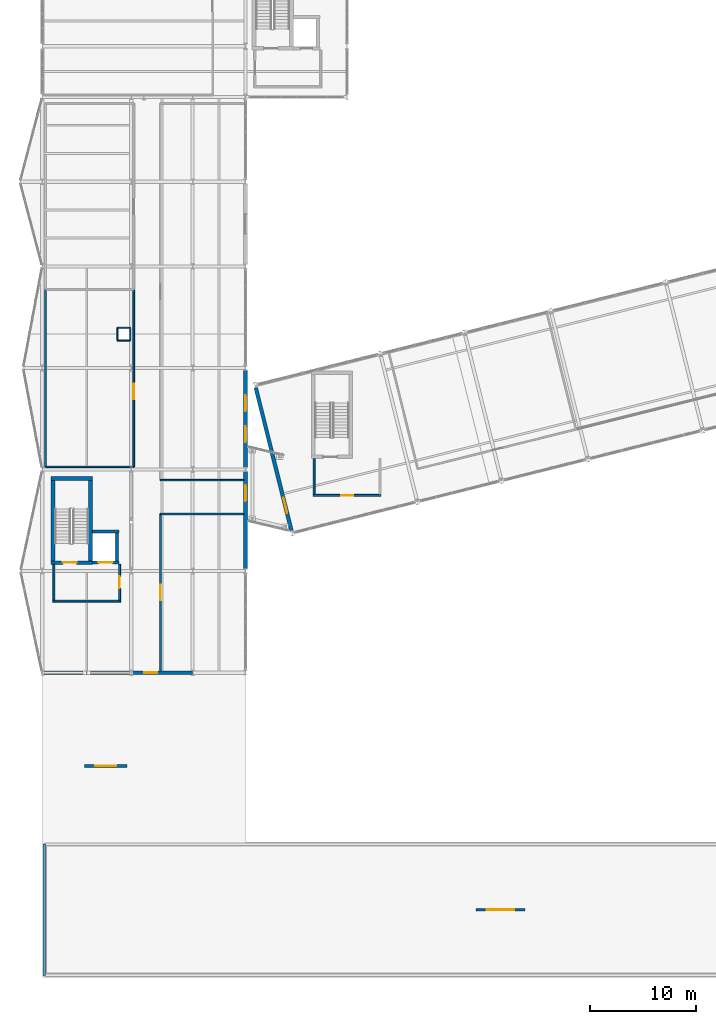
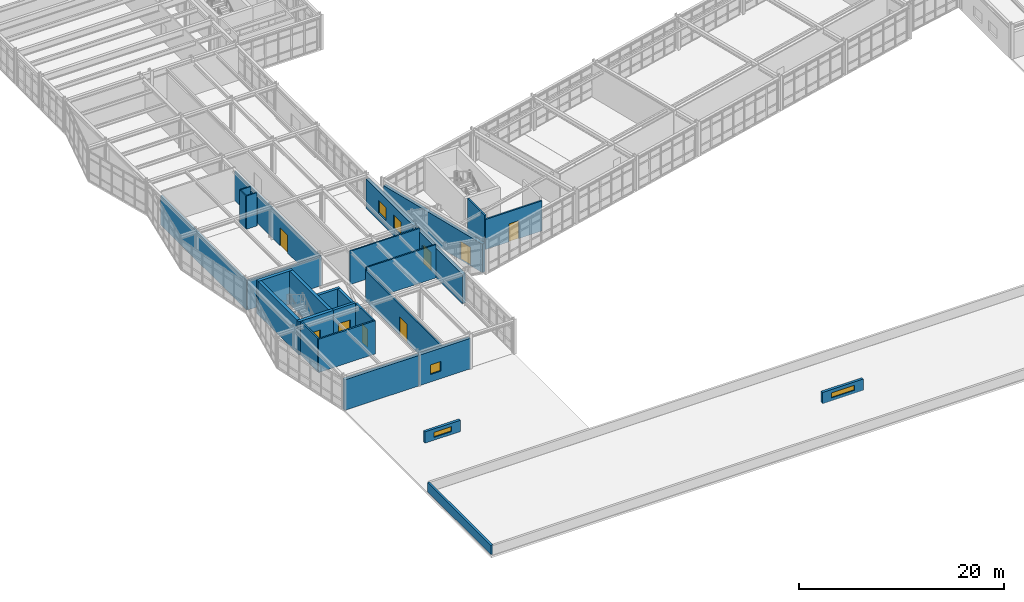
# One storey, part 69 of 88: 30 walls, 8 doors, 5 windows, 13 openings.
"""IFC4 building model written with IfcOpenShell, lengths in metres."""

from ifc_helpers import new_model, si_unit, direction, frame, frame_2d, origin, place, context, subcontext, project, spatial, rectangle, extrude, material, layer, layer_set, type_object, element, fill, save


model = new_model("IFC4")

# Units and contexts
model_context = context("Model", 3, precision=1e-05, world=origin(), true_north=direction((0.0, 1.0)))
body_context = subcontext(model_context, "Body", "Model", "MODEL_VIEW")
ifc_project = project(units=[si_unit("LENGTHUNIT", "METRE"), si_unit("AREAUNIT", "SQUARE_METRE"), si_unit("VOLUMEUNIT", "CUBIC_METRE"), si_unit("PLANEANGLEUNIT", "RADIAN"), si_unit("MASSUNIT", "GRAM", prefix="KILO")], contexts=[model_context])

# Site, building, storey
site_placement = place(None, origin())
site = spatial("IfcSite", under=ifc_project, at=site_placement, CompositionType="ELEMENT")
building_placement = place(site_placement, origin())
building = spatial("IfcBuilding", under=site, at=building_placement, Name="Nordkorset Police Headquarters", CompositionType="ELEMENT")
storey_placement = place(building_placement, frame((0.0, 0.0, 9.449951171875)))
storey = spatial("IfcBuildingStorey", under=building, at=storey_placement, Name="L02", CompositionType="ELEMENT", Elevation=9.449951171875)

# Walls
ifc_material_1 = material(Name="Gypsum board", Category="gypsum")
ifc_layer_1 = layer(ifc_material_1, 0.179931640625, Name="Gypsum board")
ifc_layer_set_1 = layer_set([ifc_layer_1], Name="Gypsum board")
wall_type_1 = type_object("IfcWallType", Name="Wall_Comp_180", PredefinedType="PARTITIONING", material=ifc_layer_set_1)
wall_1_placement = place(storey_placement, frame((1.0, 35.56005859375, 0.0), z_axis=(0.0, 0.0, 1.0), x_axis=(1.0, 0.0, 0.0)))
element("IfcWall", 1, at=wall_1_placement, inside=storey, type_object=wall_type_1, Name="Firefighting Lobby EI 60 Wall K4 L02 S", PredefinedType="PARTITIONING", context=body_context, shape_type="SweptSolid", body=[
    extrude(rectangle(XDim=6.39990234375, YDim=0.179931640625, at=frame_2d((3.199951171875, 0.0))), origin(), (0.0, 0.0, 1.0), 3.969970703125),
])
wall_2_placement = place(storey_placement, frame((1.090087890625, 35.64990234375, 0.0), z_axis=(0.0, 0.0, 1.0), x_axis=(0.0, 1.0, 0.0)))
element("IfcWall", 2, at=wall_2_placement, inside=storey, type_object=wall_type_1, Name="Firefighting Lobby EI 60 Wall K4 L02 W", PredefinedType="PARTITIONING", context=body_context, shape_type="SweptSolid", body=[
    extrude(rectangle(XDim=3.375, YDim=0.179931640625, at=frame_2d((1.6875, 0.0))), origin(), (0.0, 0.0, 1.0), 3.969970703125),
])

# Wall, opening, door
wall_3_placement = place(storey_placement, frame((7.31005859375, 35.64990234375, 0.0), z_axis=(0.0, 0.0, 1.0), x_axis=(0.0, 1.0, 0.0)))
wall_3 = element("IfcWall", 3, at=wall_3_placement, inside=storey, type_object=wall_type_1, Name="Firefighting Lobby EI 60 Wall K4 L02 E", PredefinedType="PARTITIONING", context=body_context, shape_type="SweptSolid", body=[
    extrude(rectangle(XDim=3.375, YDim=0.179931640625, at=frame_2d((1.6875, 0.0))), origin(), (0.0, 0.0, 1.0), 3.969970703125),
])
opening_1_placement = place(wall_3_placement, frame((1.112548828125, 0.0, 0.0)))
opening_1 = element("IfcOpeningElement", 4, at=opening_1_placement, cuts=wall_3, Name="Opening DR-01", PredefinedType="OPENING", context=body_context, shape_type="SweptSolid", body=[
    extrude(rectangle(XDim=1.14990234375, YDim=2.14990234375, at=frame_2d((0.574951171875, 1.074951171875))), frame((0.0, 0.10009765625, 0.0), z_axis=(0.0, -1.0, 0.0), x_axis=(1.0, 0.0, 0.0)), (0.0, 0.0, 1.0), 0.199951171875),
])
ifc_material_2 = material(Name="Steel S355J2", Category="steel")
door_type_1 = type_object("IfcDoorType", Name="Door_LobbySingle_1150x2150", OperationType="NOTDEFINED", PredefinedType="DOOR", material=ifc_material_2)
door_1_placement = place(opening_1_placement, origin())
door_1 = element("IfcDoor", 5, at=door_1_placement, inside=storey, type_object=door_type_1, Name="Firefighting Lobby Smoke Door K4 L02 E", OperationType="SINGLE_SWING_LEFT", OverallHeight=2.14990234375, OverallWidth=1.14990234375, PredefinedType="DOOR", context=body_context, shape_type="SweptSolid", body=[
    extrude(rectangle(XDim=1.14990234375, YDim=2.14990234375, at=frame_2d((0.574951171875, 1.074951171875))), frame((0.0, 0.02490234375, 0.0), z_axis=(0.0, -1.0, 0.0), x_axis=(1.0, 0.0, 0.0)), (0.0, 0.0, 1.0), 0.050048828125),
])
fill(opening_1, door_1)

wall_4_placement = place(storey_placement, frame((25.60009765625, 45.56005859375, 0.0), z_axis=(0.0, 0.0, 1.0), x_axis=(1.0, 0.0, 0.0)))
wall_4 = element("IfcWall", 6, at=wall_4_placement, inside=storey, type_object=wall_type_1, Name="Firefighting Lobby EI 60 Wall K7 L02 S", PredefinedType="PARTITIONING", context=body_context, shape_type="SweptSolid", body=[
    extrude(rectangle(XDim=6.39990234375, YDim=0.179931640625, at=frame_2d((3.199951171875, 0.0))), origin(), (0.0, 0.0, 1.0), 3.590087890625),
])
opening_2_placement = place(wall_4_placement, frame((2.625, 0.0, 0.0)))
opening_2 = element("IfcOpeningElement", 7, at=opening_2_placement, cuts=wall_4, Name="Opening DR-01", PredefinedType="OPENING", context=body_context, shape_type="SweptSolid", body=[
    extrude(rectangle(XDim=1.14990234375, YDim=2.14990234375, at=frame_2d((0.574951171875, 1.074951171875))), frame((0.0, 0.10009765625, 0.0), z_axis=(0.0, -1.0, 0.0), x_axis=(1.0, 0.0, 0.0)), (0.0, 0.0, 1.0), 0.199951171875),
])
door_2_placement = place(opening_2_placement, frame((1.14990234375, 0.0, 0.0), z_axis=(0.0, 0.0, 1.0), x_axis=(-1.0, 0.0, 0.0)))
door_2 = element("IfcDoor", 8, at=door_2_placement, inside=storey, type_object=door_type_1, Name="Firefighting Lobby Smoke Door K7 L02 S", OperationType="SINGLE_SWING_RIGHT", OverallHeight=2.14990234375, OverallWidth=1.14990234375, PredefinedType="DOOR", context=body_context, shape_type="SweptSolid", body=[
    extrude(rectangle(XDim=1.14990234375, YDim=2.14990234375, at=frame_2d((0.574951171875, 1.074951171875))), frame((0.0, 0.02490234375, 0.0), z_axis=(0.0, -1.0, 0.0), x_axis=(1.0, 0.0, 0.0)), (0.0, 0.0, 1.0), 0.050048828125),
])
fill(opening_2, door_2)

# Wall
wall_5_placement = place(storey_placement, frame((25.68994140625, 45.64990234375, 0.0), z_axis=(0.0, 0.0, 1.0), x_axis=(0.0, 1.0, 0.0)))
element("IfcWall", 9, at=wall_5_placement, inside=storey, type_object=wall_type_1, Name="Firefighting Lobby EI 60 Wall K7 L02 W", PredefinedType="PARTITIONING", context=body_context, shape_type="SweptSolid", body=[
    extrude(rectangle(XDim=3.375, YDim=0.179931640625, at=frame_2d((1.6875, 0.0))), origin(), (0.0, 0.0, 1.0), 3.969970703125),
])

# Wall, opening, door
ifc_material_3 = material(Name="Concrete C35/45", Category="concrete")
ifc_layer_2 = layer(ifc_material_3, 0.35009765625, Name="Concrete C35/45")
ifc_layer_set_2 = layer_set([ifc_layer_2], Name="Concrete C35/45")
wall_type_2 = type_object("IfcWallType", Name="Wall_CoreShear_350", PredefinedType="SHEAR", material=ifc_layer_set_2)
wall_6_placement = place(storey_placement, frame((0.824951171875, 39.199951171875, 0.0), z_axis=(0.0, 0.0, 1.0), x_axis=(1.0, 0.0, 0.0)))
wall_6 = element("IfcWall", 10, at=wall_6_placement, inside=storey, type_object=wall_type_2, Name="Core K4 Stair Shaft South Shear Wall L02", PredefinedType="SHEAR", context=body_context, shape_type="SweptSolid", body=[
    extrude(rectangle(XDim=3.900146484375, YDim=0.35009765625, at=frame_2d((1.9501953125, 0.0))), origin(), (0.0, 0.0, 1.0), 3.969970703125),
])
opening_3_placement = place(wall_6_placement, frame((1.125, 0.0, 0.0)))
opening_3 = element("IfcOpeningElement", 11, at=opening_3_placement, cuts=wall_6, Name="Opening DR-20", PredefinedType="OPENING", context=body_context, shape_type="SweptSolid", body=[
    extrude(rectangle(XDim=1.300048828125, YDim=2.14990234375, at=frame_2d((0.64990234375, 1.074951171875))), frame((0.0, 0.18505859375, 0.0), z_axis=(0.0, -1.0, 0.0), x_axis=(1.0, 0.0, 0.0)), (0.0, 0.0, 1.0), 0.3701171875),
])
ifc_material_4 = material(Name="Steel S355J2", Category="steel")
door_type_2 = type_object("IfcDoorType", Name="Door_Stair_1300x2150", OperationType="NOTDEFINED", PredefinedType="DOOR", material=ifc_material_4)
door_3_placement = place(opening_3_placement, frame((1.300048828125, 0.0, 0.0), z_axis=(0.0, 0.0, 1.0), x_axis=(-1.0, 0.0, 0.0)))
door_3 = element("IfcDoor", 12, at=door_3_placement, inside=storey, type_object=door_type_2, Name="Protected Stair Fire Door ST-04 L02", OperationType="SINGLE_SWING_RIGHT", OverallHeight=2.14990234375, OverallWidth=1.300048828125, PredefinedType="DOOR", context=body_context, shape_type="SweptSolid", body=[
    extrude(rectangle(XDim=1.300048828125, YDim=2.14990234375, at=frame_2d((0.64990234375, 1.074951171875))), frame((0.0, 0.02490234375, 0.0), z_axis=(0.0, -1.0, 0.0), x_axis=(1.0, 0.0, 0.0)), (0.0, 0.0, 1.0), 0.050048828125),
])
fill(opening_3, door_3)

# Walls
wall_7_placement = place(storey_placement, frame((0.824951171875, 47.14990234375, 0.0), z_axis=(0.0, 0.0, 1.0), x_axis=(1.0, 0.0, 0.0)))
element("IfcWall", 13, at=wall_7_placement, inside=storey, type_object=wall_type_2, Name="Core K4 Stair Shaft North Shear Wall L02", PredefinedType="SHEAR", context=body_context, shape_type="SweptSolid", body=[
    extrude(rectangle(XDim=3.900146484375, YDim=0.35009765625, at=frame_2d((1.9501953125, 0.0))), origin(), (0.0, 0.0, 1.0), 3.969970703125),
])
for number, where, z_axis, x_axis, name in (
    (14, (1.0, 39.375, 0.0), (0.0, 0.0, 1.0), (0.0, 1.0, 0.0), "Core K4 Stair Shaft West Shear Wall L02"),
    (15, (4.550048828125, 39.375, 0.0), (0.0, 0.0, 1.0), (0.0, 1.0, 0.0), "Core K4 Stair Shaft East Shear Wall L02"),
):
    element("IfcWall", number, at=place(storey_placement, frame(where, z_axis=z_axis, x_axis=x_axis)), inside=storey, type_object=wall_type_2, Name=name, PredefinedType="SHEAR", context=body_context, shape_type="SweptSolid", body=[
        extrude(rectangle(XDim=7.60009765625, YDim=0.35009765625, at=frame_2d((3.800048828125, 0.0))), origin(), (0.0, 0.0, 1.0), 3.969970703125),
    ])

# Wall, opening, door
ifc_material_5 = material(Name="Precast concrete C40/50", Category="concrete")
ifc_layer_3 = layer(ifc_material_5, 0.360107421875, Name="Precast concrete C40/50")
ifc_layer_set_3 = layer_set([ifc_layer_3], Name="Precast concrete C40/50")
wall_type_3 = type_object("IfcWallType", Name="Wall_ExtPrecast_360", PredefinedType="SOLIDWALL", material=ifc_layer_set_3)
wall_8_placement = place(storey_placement, frame((19.199951171875, 38.60205078125, 0.0), z_axis=(0.0, 0.0, 1.0), x_axis=(0.0, 1.0, 0.0)))
wall_8 = element("IfcWall", 16, at=wall_8_placement, inside=storey, type_object=wall_type_3, Name="Exterior Insulated Precast Wall L02 V3E-1", PredefinedType="SOLIDWALL", context=body_context, shape_type="SweptSolid", body=[
    extrude(rectangle(XDim=9.196044921875, YDim=0.360107421875, at=frame_2d((4.59814453125, 0.0))), origin(), (0.0, 0.0, 1.0), 3.510009765625),
])
opening_4_placement = place(wall_8_placement, frame((6.39794921875, 0.0, 0.0)))
opening_4 = element("IfcOpeningElement", 17, at=opening_4_placement, cuts=wall_8, Name="Opening EXD-03", PredefinedType="OPENING", context=body_context, shape_type="SweptSolid", body=[
    extrude(rectangle(XDim=1.5, YDim=2.199951171875, at=frame_2d((0.75, 1.10009765625))), frame((0.0, 0.18994140625, 0.0), z_axis=(0.0, -1.0, 0.0), x_axis=(1.0, 0.0, 0.0)), (0.0, 0.0, 1.0), 0.380126953125),
])
ifc_material_6 = material(Name="Aluminium alloy AW-6060", Category="aluminium")
door_type_3 = type_object("IfcDoorType", Name="ExtDoor_BridgePortal_1500x2200", OperationType="DOUBLE_DOOR_SINGLE_SWING", PredefinedType="DOOR", material=ifc_material_6)
door_4_placement = place(opening_4_placement, frame((1.5, 0.0, 0.0), z_axis=(0.0, 0.0, 1.0), x_axis=(-1.0, 0.0, 0.0)))
door_4 = element("IfcDoor", 18, at=door_4_placement, inside=storey, type_object=door_type_3, Name="West Link Bridge Portal Door V3 L02", OperationType="SINGLE_SWING_LEFT", OverallHeight=2.199951171875, OverallWidth=1.5, PredefinedType="DOOR", context=body_context, shape_type="SweptSolid", body=[
    extrude(rectangle(XDim=1.5, YDim=2.199951171875, at=frame_2d((0.75, 1.10009765625))), frame((0.0, 0.02490234375, 0.0), z_axis=(0.0, -1.0, 0.0), x_axis=(1.0, 0.0, 0.0)), (0.0, 0.0, 1.0), 0.050048828125),
])
fill(opening_4, door_4)

# Wall, openings, windows
wall_9_placement = place(storey_placement, frame((19.199951171875, 48.201904296875, 0.0), z_axis=(0.0, 0.0, 1.0), x_axis=(0.0, 1.0, 0.0)))
wall_9 = element("IfcWall", 19, at=wall_9_placement, inside=storey, type_object=wall_type_3, Name="Exterior Insulated Precast Wall L02 V3E-2", PredefinedType="SOLIDWALL", context=body_context, shape_type="SweptSolid", body=[
    extrude(rectangle(XDim=9.196044921875, YDim=0.360107421875, at=frame_2d((4.59814453125, 0.0))), origin(), (0.0, 0.0, 1.0), 3.510009765625),
])
opening_5_placement = place(wall_9_placement, frame((2.38134765625, 0.0, 0.89990234375)))
opening_5 = element("IfcOpeningElement", 20, at=opening_5_placement, cuts=wall_9, Name="Opening WN-50", PredefinedType="OPENING", context=body_context, shape_type="SweptSolid", body=[
    extrude(rectangle(XDim=1.5, YDim=1.550048828125, at=frame_2d((0.75, 0.77490234375))), frame((0.0, 0.18994140625, 0.0), z_axis=(0.0, -1.0, 0.0), x_axis=(1.0, 0.0, 0.0)), (0.0, 0.0, 1.0), 0.380126953125),
])
opening_6_placement = place(wall_9_placement, frame((5.314697265625, 0.0, 0.89990234375)))
opening_6 = element("IfcOpeningElement", 21, at=opening_6_placement, cuts=wall_9, Name="Opening WN-50", PredefinedType="OPENING", context=body_context, shape_type="SweptSolid", body=[
    extrude(rectangle(XDim=1.5, YDim=1.550048828125, at=frame_2d((0.75, 0.77490234375))), frame((0.0, 0.18994140625, 0.0), z_axis=(0.0, -1.0, 0.0), x_axis=(1.0, 0.0, 0.0)), (0.0, 0.0, 1.0), 0.380126953125),
])
ifc_material_7 = material(Name="Low-iron triple glazing", Category="glass")
window_type_1 = type_object("IfcWindowType", Name="Win_1500x1550", PartitioningType="SINGLE_PANEL", PredefinedType="WINDOW", material=ifc_material_7)
window_1_placement = place(opening_5_placement, origin())
window_1 = element("IfcWindow", 22, at=window_1_placement, inside=storey, type_object=window_type_1, Name="Triple-Glazed Exterior Window L02 V3E-2-1", OverallHeight=1.550048828125, OverallWidth=1.5, PartitioningType="SINGLE_PANEL", PredefinedType="WINDOW", context=body_context, shape_type="SweptSolid", body=[
    extrude(rectangle(XDim=1.5, YDim=1.550048828125, at=frame_2d((0.75, 0.77490234375))), frame((0.0, 0.030029296875, 0.0), z_axis=(0.0, -1.0, 0.0), x_axis=(1.0, 0.0, 0.0)), (0.0, 0.0, 1.0), 0.06005859375),
])
fill(opening_5, window_1)
window_2_placement = place(opening_6_placement, origin())
window_2 = element("IfcWindow", 23, at=window_2_placement, inside=storey, type_object=window_type_1, Name="Triple-Glazed Exterior Window L02 V3E-2-2", OverallHeight=1.550048828125, OverallWidth=1.5, PartitioningType="SINGLE_PANEL", PredefinedType="WINDOW", context=body_context, shape_type="SweptSolid", body=[
    extrude(rectangle(XDim=1.5, YDim=1.550048828125, at=frame_2d((0.75, 0.77490234375))), frame((0.0, 0.030029296875, 0.0), z_axis=(0.0, -1.0, 0.0), x_axis=(1.0, 0.0, 0.0)), (0.0, 0.0, 1.0), 0.06005859375),
])
fill(opening_6, window_2)

# Wall
wall_10_placement = place(storey_placement, frame((0.00927734375, 28.800048828125, 0.0), z_axis=(0.0, 0.0, 1.0), x_axis=(1.0, 0.0, 0.0)))
element("IfcWall", 24, at=wall_10_placement, inside=storey, type_object=wall_type_3, Name="Exterior Insulated Precast Wall L02 V3S-0A", PredefinedType="SOLIDWALL", context=body_context, shape_type="SweptSolid", body=[
    extrude(rectangle(XDim=8.381591796875, YDim=0.360107421875, at=frame_2d((4.19091796875, 0.0))), origin(), (0.0, 0.0, 1.0), 3.64013671875),
])

# Wall, opening, window
wall_11_placement = place(storey_placement, frame((8.4091796875, 28.800048828125, 0.0), z_axis=(0.0, 0.0, 1.0), x_axis=(1.0, 0.0, 0.0)))
wall_11 = element("IfcWall", 25, at=wall_11_placement, inside=storey, type_object=wall_type_3, Name="Exterior Insulated Precast Wall L02 V3S-0B", PredefinedType="SOLIDWALL", context=body_context, shape_type="SweptSolid", body=[
    extrude(rectangle(XDim=5.781494140625, YDim=0.360107421875, at=frame_2d((2.890625, 0.0))), origin(), (0.0, 0.0, 1.0), 3.64013671875),
])
opening_7_placement = place(wall_11_placement, frame((1.24072265625, 0.0, 0.89990234375)))
opening_7 = element("IfcOpeningElement", 26, at=opening_7_placement, cuts=wall_11, Name="Opening WN-19", PredefinedType="OPENING", context=body_context, shape_type="SweptSolid", body=[
    extrude(rectangle(XDim=1.199951171875, YDim=1.14990234375, at=frame_2d((0.60009765625, 0.574951171875))), frame((0.0, 0.18994140625, 0.0), z_axis=(0.0, -1.0, 0.0), x_axis=(1.0, 0.0, 0.0)), (0.0, 0.0, 1.0), 0.380126953125),
])
ifc_material_8 = material(Name="Low-iron triple glazing", Category="glass")
window_type_2 = type_object("IfcWindowType", Name="Win_1200x1150", PartitioningType="SINGLE_PANEL", PredefinedType="WINDOW", material=ifc_material_8)
window_3_placement = place(opening_7_placement, origin())
window_3 = element("IfcWindow", 27, at=window_3_placement, inside=storey, type_object=window_type_2, Name="Triple-Glazed Exterior Window L02 V3S-0B-1", OverallHeight=1.14990234375, OverallWidth=1.199951171875, PartitioningType="SINGLE_PANEL", PredefinedType="WINDOW", context=body_context, shape_type="SweptSolid", body=[
    extrude(rectangle(XDim=1.199951171875, YDim=1.14990234375, at=frame_2d((0.60009765625, 0.574951171875))), frame((0.0, 0.030029296875, 0.0), z_axis=(0.0, -1.0, 0.0), x_axis=(1.0, 0.0, 0.0)), (0.0, 0.0, 1.0), 0.06005859375),
])
fill(opening_7, window_3)

# Wall, opening, door
wall_12_placement = place(storey_placement, frame((23.538818359375, 42.244384765625, 0.0), z_axis=(0.0, 0.0, 1.0), x_axis=(-0.242523223331, 0.970145600487, 0.0)))
wall_12 = element("IfcWall", 28, at=wall_12_placement, inside=storey, type_object=wall_type_3, Name="Exterior Insulated Precast Wall L02 V4W-0", PredefinedType="SOLIDWALL", context=body_context, shape_type="SweptSolid", body=[
    extrude(rectangle(XDim=13.89599609375, YDim=0.360107421875, at=frame_2d((6.947998046875, 0.0))), origin(), (0.0, 0.0, 1.0), 3.41015625),
])
opening_8_placement = place(wall_12_placement, frame((1.66796875, 0.0, 0.0)))
opening_8 = element("IfcOpeningElement", 29, at=opening_8_placement, cuts=wall_12, Name="Opening EXD-03", PredefinedType="OPENING", context=body_context, shape_type="SweptSolid", body=[
    extrude(rectangle(XDim=1.5, YDim=2.199951171875, at=frame_2d((0.75, 1.10009765625))), frame((0.0, 0.18994140625, 0.0), z_axis=(0.0, -1.0, 0.0), x_axis=(1.0, 0.0, 0.0)), (0.0, 0.0, 1.0), 0.380126953125),
])
door_5_placement = place(opening_8_placement, origin())
door_5 = element("IfcDoor", 30, at=door_5_placement, inside=storey, type_object=door_type_3, Name="West Link Bridge Portal Door V4 L02", OperationType="SINGLE_SWING_LEFT", OverallHeight=2.199951171875, OverallWidth=1.5, PredefinedType="DOOR", context=body_context, shape_type="SweptSolid", body=[
    extrude(rectangle(XDim=1.5, YDim=2.199951171875, at=frame_2d((0.75, 1.10009765625))), frame((0.0, 0.02490234375, 0.0), z_axis=(0.0, -1.0, 0.0), x_axis=(1.0, 0.0, 0.0)), (0.0, 0.0, 1.0), 0.050048828125),
])
fill(opening_8, door_5)

# Wall, opening, window
ifc_material_9 = material(Name="Precast concrete C40/50", Category="concrete")
ifc_layer_4 = layer(ifc_material_9, 0.280029296875, Name="Precast concrete C40/50")
ifc_layer_set_4 = layer_set([ifc_layer_4], Name="Precast concrete C40/50")
wall_type_4 = type_object("IfcWallType", Name="Wall_ExtSpandrel_280", PredefinedType="SOLIDWALL", material=ifc_layer_set_4)
wall_13_placement = place(storey_placement, frame((4.0, 20.0, 0.0), z_axis=(0.0, 0.0, 1.0), x_axis=(1.0, 0.0, 0.0)))
wall_13 = element("IfcWall", 31, at=wall_13_placement, inside=storey, type_object=wall_type_4, Name="Roof Monitor Lantern Curb SKY-V7-1", PredefinedType="SOLIDWALL", context=body_context, shape_type="SweptSolid", body=[
    extrude(rectangle(XDim=4.0, YDim=0.280029296875, at=frame_2d((2.0, 0.0))), origin(), (0.0, 0.0, 1.0), 1.35009765625),
])
opening_9_placement = place(wall_13_placement, frame((1.0, 0.0, 0.35009765625)))
opening_9 = element("IfcOpeningElement", 32, at=opening_9_placement, cuts=wall_13, Name="Opening SK-07", PredefinedType="OPENING", context=body_context, shape_type="SweptSolid", body=[
    extrude(rectangle(XDim=2.0, YDim=0.60009765625, at=frame_2d((1.0, 0.300048828125))), frame((0.0, 0.14990234375, 0.0), z_axis=(0.0, -1.0, 0.0), x_axis=(1.0, 0.0, 0.0)), (0.0, 0.0, 1.0), 0.300048828125),
])
ifc_material_10 = material(Name="Low-iron triple glazing", Category="glass")
window_type_3 = type_object("IfcWindowType", Name="Skylight_2000x600", PartitioningType="SINGLE_PANEL", PredefinedType="SKYLIGHT", material=ifc_material_10)
window_4_placement = place(opening_9_placement, origin())
window_4 = element("IfcWindow", 33, at=window_4_placement, inside=storey, type_object=window_type_3, Name="Triple-Glazed Roof Monitor Skylight SKY-V7-1", OverallHeight=0.60009765625, OverallWidth=2.0, PartitioningType="SINGLE_PANEL", PredefinedType="SKYLIGHT", context=body_context, shape_type="SweptSolid", body=[
    extrude(rectangle(XDim=2.0, YDim=0.60009765625, at=frame_2d((1.0, 0.300048828125))), frame((0.0, 0.030029296875, 0.0), z_axis=(0.0, -1.0, 0.0), x_axis=(1.0, 0.0, 0.0)), (0.0, 0.0, 1.0), 0.06005859375),
])
fill(opening_9, window_4)

wall_14_placement = place(storey_placement, frame((41.0, 6.39990234375, 0.0), z_axis=(0.0, 0.0, 1.0), x_axis=(1.0, 0.0, 0.0)))
wall_14 = element("IfcWall", 34, at=wall_14_placement, inside=storey, type_object=wall_type_4, Name="Roof Monitor Lantern Curb SKY-V7-2", PredefinedType="SOLIDWALL", context=body_context, shape_type="SweptSolid", body=[
    extrude(rectangle(XDim=4.60009765625, YDim=0.280029296875, at=frame_2d((2.300048828125, 0.0))), origin(), (0.0, 0.0, 1.0), 1.35009765625),
])
opening_10_placement = place(wall_14_placement, frame((1.0, 0.0, 0.35009765625)))
opening_10 = element("IfcOpeningElement", 35, at=opening_10_placement, cuts=wall_14, Name="Opening SK-04", PredefinedType="OPENING", context=body_context, shape_type="SweptSolid", body=[
    extrude(rectangle(XDim=2.60009765625, YDim=0.60009765625, at=frame_2d((1.300048828125, 0.300048828125))), frame((0.0, 0.14990234375, 0.0), z_axis=(0.0, -1.0, 0.0), x_axis=(1.0, 0.0, 0.0)), (0.0, 0.0, 1.0), 0.300048828125),
])
ifc_material_11 = material(Name="Low-iron triple glazing", Category="glass")
window_type_4 = type_object("IfcWindowType", Name="Skylight_2600x600", PartitioningType="SINGLE_PANEL", PredefinedType="SKYLIGHT", material=ifc_material_11)
window_5_placement = place(opening_10_placement, origin())
window_5 = element("IfcWindow", 36, at=window_5_placement, inside=storey, type_object=window_type_4, Name="Triple-Glazed Roof Monitor Skylight SKY-V7-2", OverallHeight=0.60009765625, OverallWidth=2.60009765625, PartitioningType="SINGLE_PANEL", PredefinedType="SKYLIGHT", context=body_context, shape_type="SweptSolid", body=[
    extrude(rectangle(XDim=2.60009765625, YDim=0.60009765625, at=frame_2d((1.300048828125, 0.300048828125))), frame((0.0, 0.030029296875, 0.0), z_axis=(0.0, -1.0, 0.0), x_axis=(1.0, 0.0, 0.0)), (0.0, 0.0, 1.0), 0.06005859375),
])
fill(opening_10, window_5)

# Wall
ifc_material_12 = material(Name="Gypsum board", Category="gypsum")
ifc_layer_5 = layer(ifc_material_12, 0.159912109375, Name="Gypsum board")
ifc_layer_set_5 = layer_set([ifc_layer_5], Name="Gypsum board")
wall_type_5 = type_object("IfcWallType", Name="Wall_Lab_160", PredefinedType="PARTITIONING", material=ifc_layer_set_5)
wall_15_placement = place(storey_placement, frame((0.300048828125, 48.25, 0.0), z_axis=(0.0, 0.0, 1.0), x_axis=(1.0, 0.0, 0.0)))
element("IfcWall", 37, at=wall_15_placement, inside=storey, type_object=wall_type_5, Name="Interior Partition Wall Forensic DNA Cleanroom Laboratory", PredefinedType="PARTITIONING", context=body_context, shape_type="SweptSolid", body=[
    extrude(rectangle(XDim=8.33984375, YDim=0.159912109375, at=frame_2d((4.169921875, 0.0))), origin(), (0.0, 0.0, 1.0), 3.510009765625),
])

# Wall, opening, door
wall_16_placement = place(storey_placement, frame((8.639892578125, 48.25, 0.0), z_axis=(0.0, 0.0, 1.0), x_axis=(0.0, 1.0, 0.0)))
wall_16 = element("IfcWall", 38, at=wall_16_placement, inside=storey, type_object=wall_type_5, Name="Interior Partition Wall Forensic DNA Cleanroom Laboratory", PredefinedType="PARTITIONING", context=body_context, shape_type="SweptSolid", body=[
    extrude(rectangle(XDim=16.75, YDim=0.159912109375, at=frame_2d((8.375, 0.0))), origin(), (0.0, 0.0, 1.0), 3.510009765625),
])
opening_11_placement = place(wall_16_placement, frame((6.39990234375, 0.0, 0.0)))
opening_11 = element("IfcOpeningElement", 39, at=opening_11_placement, cuts=wall_16, Name="Opening DR-12", PredefinedType="OPENING", context=body_context, shape_type="SweptSolid", body=[
    extrude(rectangle(XDim=1.449951171875, YDim=2.14990234375, at=frame_2d((0.72509765625, 1.074951171875))), frame((0.0, 0.08984375, 0.0), z_axis=(0.0, -1.0, 0.0), x_axis=(1.0, 0.0, 0.0)), (0.0, 0.0, 1.0), 0.179931640625),
])
ifc_material_13 = material(Name="Aluminium alloy AW-6060", Category="aluminium")
door_type_4 = type_object("IfcDoorType", Name="Door_LabClean_1450x2150", OperationType="DOUBLE_DOOR_SINGLE_SWING", PredefinedType="DOOR", material=ifc_material_13)
door_6_placement = place(opening_11_placement, frame((1.449951171875, 0.0, 0.0), z_axis=(0.0, 0.0, 1.0), x_axis=(-1.0, 0.0, 0.0)))
door_6 = element("IfcDoor", 40, at=door_6_placement, inside=storey, type_object=door_type_4, Name="Interior Door Forensic DNA Cleanroom Laboratory", OperationType="DOUBLE_DOOR_SINGLE_SWING", OverallHeight=2.14990234375, OverallWidth=1.449951171875, PredefinedType="DOOR", context=body_context, shape_type="SweptSolid", body=[
    extrude(rectangle(XDim=1.449951171875, YDim=2.14990234375, at=frame_2d((0.72509765625, 1.074951171875))), frame((0.0, 0.02490234375, 0.0), z_axis=(0.0, -1.0, 0.0), x_axis=(1.0, 0.0, 0.0)), (0.0, 0.0, 1.0), 0.050048828125),
])
fill(opening_11, door_6)

# Walls
wall_17_placement = place(storey_placement, frame((0.300048828125, 65.0, 0.0), z_axis=(0.0, 0.0, 1.0), x_axis=(0.0, -1.0, 0.0)))
element("IfcWall", 41, at=wall_17_placement, inside=storey, type_object=wall_type_5, Name="Interior Partition Wall Forensic DNA Cleanroom Laboratory", PredefinedType="PARTITIONING", context=body_context, shape_type="SweptSolid", body=[
    extrude(rectangle(XDim=16.75, YDim=0.159912109375, at=frame_2d((8.375, 0.0))), origin(), (0.0, 0.0, 1.0), 3.510009765625),
])
wall_18_placement = place(storey_placement, frame((19.02490234375, 43.800048828125, 0.0), z_axis=(0.0, 0.0, 1.0), x_axis=(-1.0, 0.0, 0.0)))
element("IfcWall", 42, at=wall_18_placement, inside=storey, type_object=wall_type_5, Name="Interior Partition Wall Firearms Toolmark Microscopy Lab", PredefinedType="PARTITIONING", context=body_context, shape_type="SweptSolid", body=[
    extrude(rectangle(XDim=7.864990234375, YDim=0.159912109375, at=frame_2d((3.9326171875, 0.0))), origin(), (0.0, 0.0, 1.0), 3.969970703125),
])

# Wall, opening, door
wall_19_placement = place(storey_placement, frame((11.159912109375, 43.800048828125, 0.0), z_axis=(0.0, 0.0, 1.0), x_axis=(0.0, -1.0, 0.0)))
wall_19 = element("IfcWall", 43, at=wall_19_placement, inside=storey, type_object=wall_type_5, Name="Interior Partition Wall Firearms Toolmark Microscopy Lab", PredefinedType="PARTITIONING", context=body_context, shape_type="SweptSolid", body=[
    extrude(rectangle(XDim=14.824951171875, YDim=0.159912109375, at=frame_2d((7.41259765625, 0.0))), origin(), (0.0, 0.0, 1.0), 3.590087890625),
])
opening_12_placement = place(wall_19_placement, frame((6.6875, 0.0, 0.0)))
opening_12 = element("IfcOpeningElement", 44, at=opening_12_placement, cuts=wall_19, Name="Opening DR-12", PredefinedType="OPENING", context=body_context, shape_type="SweptSolid", body=[
    extrude(rectangle(XDim=1.449951171875, YDim=2.14990234375, at=frame_2d((0.72509765625, 1.074951171875))), frame((0.0, 0.08984375, 0.0), z_axis=(0.0, -1.0, 0.0), x_axis=(1.0, 0.0, 0.0)), (0.0, 0.0, 1.0), 0.179931640625),
])
door_7_placement = place(opening_12_placement, frame((1.449951171875, 0.0, 0.0), z_axis=(0.0, 0.0, 1.0), x_axis=(-1.0, 0.0, 0.0)))
door_7 = element("IfcDoor", 45, at=door_7_placement, inside=storey, type_object=door_type_4, Name="Interior Door Firearms Toolmark Microscopy Lab", OperationType="DOUBLE_DOOR_SINGLE_SWING", OverallHeight=2.14990234375, OverallWidth=1.449951171875, PredefinedType="DOOR", context=body_context, shape_type="SweptSolid", body=[
    extrude(rectangle(XDim=1.449951171875, YDim=2.14990234375, at=frame_2d((0.72509765625, 1.074951171875))), frame((0.0, 0.02490234375, 0.0), z_axis=(0.0, -1.0, 0.0), x_axis=(1.0, 0.0, 0.0)), (0.0, 0.0, 1.0), 0.050048828125),
])
fill(opening_12, door_7)

# Walls
wall_20_placement = place(storey_placement, frame((11.159912109375, 47.0, 0.0), z_axis=(0.0, 0.0, 1.0), x_axis=(1.0, 0.0, 0.0)))
element("IfcWall", 46, at=wall_20_placement, inside=storey, type_object=wall_type_5, Name="Interior Partition Wall Ballistics Examination Laboratory", PredefinedType="PARTITIONING", context=body_context, shape_type="SweptSolid", body=[
    extrude(rectangle(XDim=7.864990234375, YDim=0.159912109375, at=frame_2d((3.9326171875, 0.0))), origin(), (0.0, 0.0, 1.0), 3.969970703125),
])
ifc_material_14 = material(Name="Precast concrete C40/50", Category="concrete")
ifc_layer_6 = layer(ifc_material_14, 0.239990234375, Name="Precast concrete C40/50")
ifc_layer_set_6 = layer_set([ifc_layer_6], Name="Precast concrete C40/50")
wall_type_6 = type_object("IfcWallType", Name="Wall_Parapet_240", PredefinedType="PARAPET", material=ifc_layer_set_6)
wall_21_placement = place(storey_placement, frame((0.199951171875, 12.60009765625, 0.0), z_axis=(0.0, 0.0, 1.0), x_axis=(0.0, -1.0, 0.0)))
element("IfcWall", 47, at=wall_21_placement, inside=storey, type_object=wall_type_6, Name="Flat Roof Parapet Wall V7-L02-4", PredefinedType="PARAPET", context=body_context, shape_type="SweptSolid", body=[
    extrude(rectangle(XDim=12.400146484375, YDim=0.239990234375, at=frame_2d((6.2001953125, 0.0))), origin(), (0.0, 0.0, 1.0), 1.10009765625),
])
ifc_material_15 = material(Name="Gypsum board", Category="gypsum")
ifc_layer_7 = layer(ifc_material_15, 0.125, Name="Gypsum board")
ifc_layer_set_7 = layer_set([ifc_layer_7], Name="Gypsum board")
wall_type_7 = type_object("IfcWallType", Name="Wall_Riser_125", PredefinedType="PARTITIONING", material=ifc_layer_set_7)
wall_22_placement = place(storey_placement, frame((7.10009765625, 60.199951171875, 0.0), z_axis=(0.0, 0.0, 1.0), x_axis=(1.0, 0.0, 0.0)))
element("IfcWall", 48, at=wall_22_placement, inside=storey, type_object=wall_type_7, Name="Service Riser Enclosure RSR-V3 L02", PredefinedType="PARTITIONING", context=body_context, shape_type="SweptSolid", body=[
    extrude(rectangle(XDim=1.199951171875, YDim=0.125, at=frame_2d((0.60009765625, 0.0))), origin(), (0.0, 0.0, 1.0), 3.969970703125),
])
wall_23_placement = place(storey_placement, frame((8.300048828125, 60.199951171875, 0.0), z_axis=(0.0, 0.0, 1.0), x_axis=(0.0, 1.0, 0.0)))
element("IfcWall", 49, at=wall_23_placement, inside=storey, type_object=wall_type_7, Name="Service Riser Enclosure RSR-V3 L02", PredefinedType="PARTITIONING", context=body_context, shape_type="SweptSolid", body=[
    extrude(rectangle(XDim=1.199951171875, YDim=0.125, at=frame_2d((0.60009765625, 0.0))), origin(), (0.0, 0.0, 1.0), 3.510009765625),
])
for number, where, z_axis, x_axis, name in (
    (50, (8.300048828125, 61.39990234375, 0.0), (0.0, 0.0, 1.0), (-1.0, 0.0, 0.0), "Service Riser Enclosure RSR-V3 L02"),
    (51, (7.10009765625, 61.39990234375, 0.0), (0.0, 0.0, 1.0), (0.0, -1.0, 0.0), "Service Riser Enclosure RSR-V3 L02"),
):
    element("IfcWall", number, at=place(storey_placement, frame(where, z_axis=z_axis, x_axis=x_axis)), inside=storey, type_object=wall_type_7, Name=name, PredefinedType="PARTITIONING", context=body_context, shape_type="SweptSolid", body=[
        extrude(rectangle(XDim=1.199951171875, YDim=0.125, at=frame_2d((0.60009765625, 0.0))), origin(), (0.0, 0.0, 1.0), 3.969970703125),
    ])

# Wall, opening, door
ifc_material_16 = material(Name="Concrete C35/45", Category="concrete")
ifc_layer_8 = layer(ifc_material_16, 0.300048828125, Name="Concrete C35/45")
ifc_layer_set_8 = layer_set([ifc_layer_8], Name="Concrete C35/45")
wall_type_8 = type_object("IfcWallType", Name="Wall_ShaftShear_300", PredefinedType="SHEAR", material=ifc_layer_set_8)
wall_24_placement = place(storey_placement, frame((4.72509765625, 39.199951171875, 0.0), z_axis=(0.0, 0.0, 1.0), x_axis=(1.0, 0.0, 0.0)))
wall_24 = element("IfcWall", 52, at=wall_24_placement, inside=storey, type_object=wall_type_8, Name="Lift Shaft LF-06 Front Shear Wall L02", PredefinedType="SHEAR", context=body_context, shape_type="SweptSolid", body=[
    extrude(rectangle(XDim=2.5, YDim=0.300048828125, at=frame_2d((1.25, 0.0))), origin(), (0.0, 0.0, 1.0), 3.969970703125),
])
opening_13_placement = place(wall_24_placement, frame((0.574951171875, 0.0, 0.0)))
opening_13 = element("IfcOpeningElement", 53, at=opening_13_placement, cuts=wall_24, Name="Opening LD-06", PredefinedType="OPENING", context=body_context, shape_type="SweptSolid", body=[
    extrude(rectangle(XDim=1.35009765625, YDim=2.14990234375, at=frame_2d((0.675048828125, 1.074951171875))), frame((0.0, 0.16015625, 0.0), z_axis=(0.0, -1.0, 0.0), x_axis=(1.0, 0.0, 0.0)), (0.0, 0.0, 1.0), 0.320068359375),
])
ifc_material_17 = material(Name="Steel S355J2", Category="steel")
door_type_5 = type_object("IfcDoorType", Name="Door_LiftGoods_1350x2150", OperationType="SLIDING_TO_RIGHT", PredefinedType="DOOR", material=ifc_material_17)
door_8_placement = place(opening_13_placement, frame((1.35009765625, 0.0, 0.0), z_axis=(0.0, 0.0, 1.0), x_axis=(-1.0, 0.0, 0.0)))
door_8 = element("IfcDoor", 54, at=door_8_placement, inside=storey, type_object=door_type_5, Name="Lift Landing Sliding Door LF-06 L02", OperationType="SLIDING_TO_RIGHT", OverallHeight=2.14990234375, OverallWidth=1.35009765625, PredefinedType="DOOR", context=body_context, shape_type="SweptSolid", body=[
    extrude(rectangle(XDim=1.35009765625, YDim=2.14990234375, at=frame_2d((0.675048828125, 1.074951171875))), frame((0.0, 0.02490234375, 0.0), z_axis=(0.0, -1.0, 0.0), x_axis=(1.0, 0.0, 0.0)), (0.0, 0.0, 1.0), 0.050048828125),
])
fill(opening_13, door_8)

# Walls
wall_25_placement = place(storey_placement, frame((4.72509765625, 42.14990234375, 0.0), z_axis=(0.0, 0.0, 1.0), x_axis=(1.0, 0.0, 0.0)))
element("IfcWall", 55, at=wall_25_placement, inside=storey, type_object=wall_type_8, Name="Lift Shaft LF-06 Rear Shear Wall L02", PredefinedType="SHEAR", context=body_context, shape_type="SweptSolid", body=[
    extrude(rectangle(XDim=2.5, YDim=0.300048828125, at=frame_2d((1.25, 0.0))), origin(), (0.0, 0.0, 1.0), 3.969970703125),
])
wall_26_placement = place(storey_placement, frame((7.050048828125, 39.35009765625, 0.0), z_axis=(0.0, 0.0, 1.0), x_axis=(0.0, 1.0, 0.0)))
element("IfcWall", 56, at=wall_26_placement, inside=storey, type_object=wall_type_8, Name="Lift Shaft LF-06 East Shear Wall L02", PredefinedType="SHEAR", context=body_context, shape_type="SweptSolid", body=[
    extrude(rectangle(XDim=2.64990234375, YDim=0.300048828125, at=frame_2d((1.324951171875, 0.0))), origin(), (0.0, 0.0, 1.0), 3.969970703125),
])

save(model, "model.ifc")
